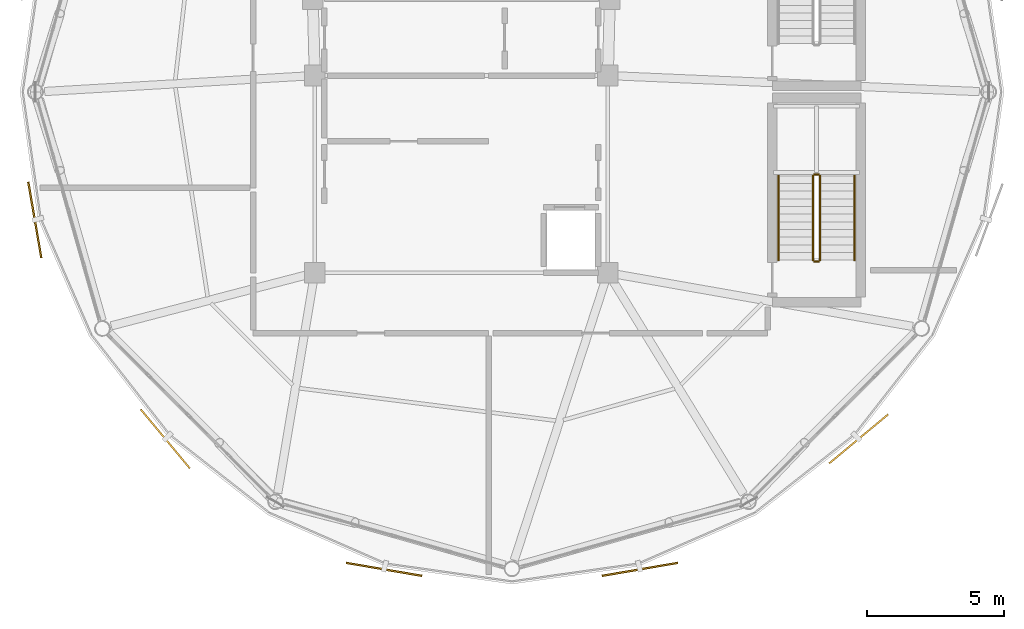
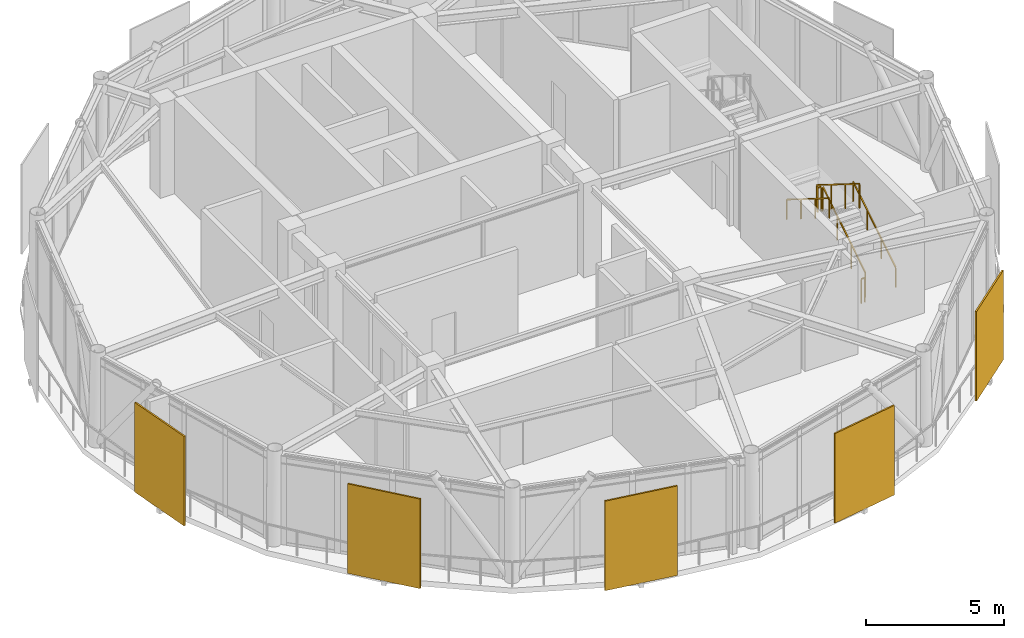
# One storey, part 18 of 20: 6 railings, 5 shading devices.
"""IFC4 building model written with IfcOpenShell, lengths in metres."""

from ifc_helpers import new_model, si_unit, direction, frame, origin, origin_2d, place, context, subcontext, project, spatial, rectangle, extrude, source, transform, mapped, material, type_object, type_shapes, element, save


model = new_model("IFC4")

# Units and contexts
model_context = context("Model", 3, precision=1e-05, world=origin(), true_north=direction((0.0, 1.0)))
body_context = subcontext(model_context, "Body", "Model", "MODEL_VIEW")
ifc_project = project(units=[si_unit("LENGTHUNIT", "METRE"), si_unit("AREAUNIT", "SQUARE_METRE"), si_unit("VOLUMEUNIT", "CUBIC_METRE"), si_unit("PLANEANGLEUNIT", "RADIAN"), si_unit("MASSUNIT", "GRAM", prefix="KILO")], contexts=[model_context])

# Site, building, storey
site_placement = place(None, origin())
site = spatial("IfcSite", under=ifc_project, at=site_placement, CompositionType="ELEMENT")
building_placement = place(site_placement, origin())
building = spatial("IfcBuilding", under=site, at=building_placement, Name="Varnakorn Sky Granary", CompositionType="ELEMENT")
storey_placement = place(building_placement, frame((0.0, 0.0, 306.60009765625)))
storey = spatial("IfcBuildingStorey", under=building, at=storey_placement, Name="L78", CompositionType="ELEMENT", Elevation=306.60009765625)

# Railings
ifc_material_1 = material(Name="Brushed Stainless Steel 316", Category="steel")
railing_type_1 = type_object("IfcRailingType", Name="RL-STAIR-1100", PredefinedType="GUARDRAIL", material=ifc_material_1)
railing_1_placement = place(storey_placement, frame((16.090087890625, -6.139892578125, 0.1748046875)))
element("IfcRailing", 1, at=railing_1_placement, inside=storey, type_object=railing_type_1, Name="L78 ST-C2 stair guard 1", PredefinedType="GUARDRAIL", context=body_context, shape_type="SweptSolid", body=[
    extrude(rectangle(XDim=0.048095703125, YDim=0.048095703125, at=origin_2d()), frame((0.0, 0.0, 1.076171875), z_axis=(0.0, 0.847979421464, 0.530029150871), x_axis=(-1.0, 0.0, 0.0)), (0.0, 0.0, 1.0), 3.632080078125),
    extrude(rectangle(XDim=0.0419921875, YDim=0.0419921875, at=origin_2d()), origin(), (0.0, 0.0, 1.0), 1.048095703125),
    extrude(rectangle(XDim=0.0419921875, YDim=0.0419921875, at=origin_2d()), frame((0.0, 1.026611328125, 0.6416015625)), (0.0, 0.0, 1.0), 1.048095703125),
    extrude(rectangle(XDim=0.0419921875, YDim=0.0419921875, at=origin_2d()), frame((0.0, 2.05322265625, 1.283447265625)), (0.0, 0.0, 1.0), 1.048095703125),
    extrude(rectangle(XDim=0.0419921875, YDim=0.0419921875, at=origin_2d()), frame((0.0, 3.079833984375, 1.925048828125)), (0.0, 0.0, 1.0), 1.048095703125),
])
railing_2_placement = place(storey_placement, frame((16.0400390625, -3.010009765625, 2.099853515625)))
element("IfcRailing", 2, at=railing_2_placement, inside=storey, type_object=railing_type_1, Name="L78 ST-C2 stair guard 2", PredefinedType="GUARDRAIL", context=body_context, shape_type="SweptSolid", body=[
    extrude(rectangle(XDim=0.048095703125, YDim=0.048095703125, at=origin_2d()), frame((0.0, 0.0, 1.076171875), z_axis=(-1.0, 0.0, 0.0), x_axis=(0.0, -1.0, 0.0)), (0.0, 0.0, 1.0), 0.150146484375),
    extrude(rectangle(XDim=0.0419921875, YDim=0.0419921875, at=origin_2d()), origin(), (0.0, 0.0, 1.0), 1.048095703125),
    extrude(rectangle(XDim=0.0419921875, YDim=0.0419921875, at=origin_2d()), frame((-0.150146484375, 0.0, 0.0)), (0.0, 0.0, 1.0), 1.048095703125),
])
railing_3_placement = place(storey_placement, frame((15.840087890625, -3.06005859375, 2.27490234375)))
element("IfcRailing", 3, at=railing_3_placement, inside=storey, type_object=railing_type_1, Name="L78 ST-C2 stair guard 3", PredefinedType="GUARDRAIL", context=body_context, shape_type="SweptSolid", body=[
    extrude(rectangle(XDim=0.048095703125, YDim=0.048095703125, at=origin_2d()), frame((0.0, 0.0, 1.076171875), z_axis=(0.0, -0.847979421464, 0.530029150871), x_axis=(1.0, 0.0, 0.0)), (0.0, 0.0, 1.0), 3.632080078125),
    extrude(rectangle(XDim=0.0419921875, YDim=0.0419921875, at=origin_2d()), origin(), (0.0, 0.0, 1.0), 1.048095703125),
    extrude(rectangle(XDim=0.0419921875, YDim=0.0419921875, at=origin_2d()), frame((0.0, -1.026611328125, 0.6416015625)), (0.0, 0.0, 1.0), 1.048095703125),
    extrude(rectangle(XDim=0.0419921875, YDim=0.0419921875, at=origin_2d()), frame((0.0, -2.05322265625, 1.283447265625)), (0.0, 0.0, 1.0), 1.048095703125),
    extrude(rectangle(XDim=0.0419921875, YDim=0.0419921875, at=origin_2d()), frame((0.0, -3.079833984375, 1.925048828125)), (0.0, 0.0, 1.0), 1.048095703125),
])
railing_4_placement = place(storey_placement, frame((16.0400390625, -6.18994140625, 0.0)))
element("IfcRailing", 4, at=railing_4_placement, inside=storey, type_object=railing_type_1, Name="L78 ST-C2 stair guard 4", PredefinedType="GUARDRAIL", context=body_context, shape_type="SweptSolid", body=[
    extrude(rectangle(XDim=0.048095703125, YDim=0.048095703125, at=origin_2d()), frame((0.0, 0.0, 1.076171875), z_axis=(-1.0, 0.0, 0.0), x_axis=(0.0, -1.0, 0.0)), (0.0, 0.0, 1.0), 0.150146484375),
    extrude(rectangle(XDim=0.0419921875, YDim=0.0419921875, at=origin_2d()), origin(), (0.0, 0.0, 1.0), 1.048095703125),
    extrude(rectangle(XDim=0.0419921875, YDim=0.0419921875, at=origin_2d()), frame((-0.150146484375, 0.0, 0.0)), (0.0, 0.0, 1.0), 1.048095703125),
])
railing_type_2 = type_object("IfcRailingType", Name="RL-STAIR-920", PredefinedType="HANDRAIL", material=ifc_material_1)
railing_5_placement = place(storey_placement, frame((17.35009765625, -6.139892578125, 0.1748046875)))
element("IfcRailing", 5, at=railing_5_placement, inside=storey, type_object=railing_type_2, Name="L78 ST-C2 stair handrail 1", PredefinedType="HANDRAIL", context=body_context, shape_type="SweptSolid", body=[
    extrude(rectangle(XDim=0.048095703125, YDim=0.048095703125, at=origin_2d()), frame((0.0, 0.0, 0.8759765625), z_axis=(0.0, 0.847979421464, 0.530029150871), x_axis=(-1.0, 0.0, 0.0)), (0.0, 0.0, 1.0), 3.632080078125),
    extrude(rectangle(XDim=0.0419921875, YDim=0.0419921875, at=origin_2d()), origin(), (0.0, 0.0, 1.0), 0.847900390625),
    extrude(rectangle(XDim=0.0419921875, YDim=0.0419921875, at=origin_2d()), frame((0.0, 1.026611328125, 0.6416015625)), (0.0, 0.0, 1.0), 0.847900390625),
    extrude(rectangle(XDim=0.0419921875, YDim=0.0419921875, at=origin_2d()), frame((0.0, 2.05322265625, 1.283447265625)), (0.0, 0.0, 1.0), 0.847900390625),
    extrude(rectangle(XDim=0.0419921875, YDim=0.0419921875, at=origin_2d()), frame((0.0, 3.079833984375, 1.925048828125)), (0.0, 0.0, 1.0), 0.847900390625),
])
railing_6_placement = place(storey_placement, frame((14.580078125, -3.06005859375, 2.27490234375)))
element("IfcRailing", 6, at=railing_6_placement, inside=storey, type_object=railing_type_2, Name="L78 ST-C2 stair handrail 2", PredefinedType="HANDRAIL", context=body_context, shape_type="SweptSolid", body=[
    extrude(rectangle(XDim=0.048095703125, YDim=0.048095703125, at=origin_2d()), frame((0.0, 0.0, 0.8759765625), z_axis=(0.0, -0.847979421464, 0.530029150871), x_axis=(1.0, 0.0, 0.0)), (0.0, 0.0, 1.0), 3.632080078125),
    extrude(rectangle(XDim=0.0419921875, YDim=0.0419921875, at=origin_2d()), origin(), (0.0, 0.0, 1.0), 0.847900390625),
    extrude(rectangle(XDim=0.0419921875, YDim=0.0419921875, at=origin_2d()), frame((0.0, -1.026611328125, 0.6416015625)), (0.0, 0.0, 1.0), 0.847900390625),
    extrude(rectangle(XDim=0.0419921875, YDim=0.0419921875, at=origin_2d()), frame((0.0, -2.05322265625, 1.283447265625)), (0.0, 0.0, 1.0), 0.847900390625),
    extrude(rectangle(XDim=0.0419921875, YDim=0.0419921875, at=origin_2d()), frame((0.0, -3.079833984375, 1.925048828125)), (0.0, 0.0, 1.0), 0.847900390625),
])

# Shading devices
ifc_material_2 = material(Name="Anodised Bronze Aluminium Alloy 6063-T6", Category="aluminium")
shading_device_type = type_object("IfcShadingDeviceType", Name="SH-SCR-03", PredefinedType="USERDEFINED", material=ifc_material_2)
shared_shape = source(origin(), body_context, "Body", "SweptSolid", [
    extrude(rectangle(XDim=2.800048828125, YDim=0.06494140625, at=origin_2d()), origin(), (0.0, 0.0, 1.0), 3.9599609375),
])
type_shapes(shading_device_type, [shared_shape])
for number, where, z_axis, x_axis, name in (
    (7, (-12.567626953125, -4.668701171875, -0.0400390625), (0.0, 0.0, 1.0), (0.169444674657, -0.985539700991, 0.0), "Perforated Bronze Solar Screen Panel SCREEN L78-07"),
    (8, (-7.80517578125, -12.659912109375, -0.0400390625), (0.0, 0.0, 1.0), (0.639589829289, -0.768716365293, 0.0), "Perforated Bronze Solar Screen Panel SCREEN L78-08"),
    (9, (0.18310546875, -17.42431640625, -0.0400390625), (0.0, 0.0, 1.0), (0.985572748912, -0.169252345929, 0.0), "Perforated Bronze Solar Screen Panel SCREEN L78-09"),
    (10, (9.51708984375, -17.42431640625, -0.0400390625), (0.0, 0.0, 1.0), (0.985572748912, 0.169252345929, 0.0), "Perforated Bronze Solar Screen Panel SCREEN L78-10"),
    (11, (17.505126953125, -12.659912109375, -0.0400390625), (0.0, 0.0, 1.0), (0.76896726926, 0.639288150059, 0.0), "Perforated Bronze Solar Screen Panel SCREEN L78-11"),
):
    element("IfcShadingDevice", number, at=place(storey_placement, frame(where, z_axis=z_axis, x_axis=x_axis)), inside=storey, type_object=shading_device_type, Name=name, ObjectType="SCREEN", PredefinedType="USERDEFINED", context=body_context, shape_type="MappedRepresentation", body=[
        mapped(shared_shape, transform((0.0, 0.0, 0.0), x_axis=(1.0, 0.0, 0.0), y_axis=(0.0, 1.0, 0.0), z_axis=(0.0, 0.0, 1.0), scale=1.0)),
    ])

save(model, "model.ifc")
